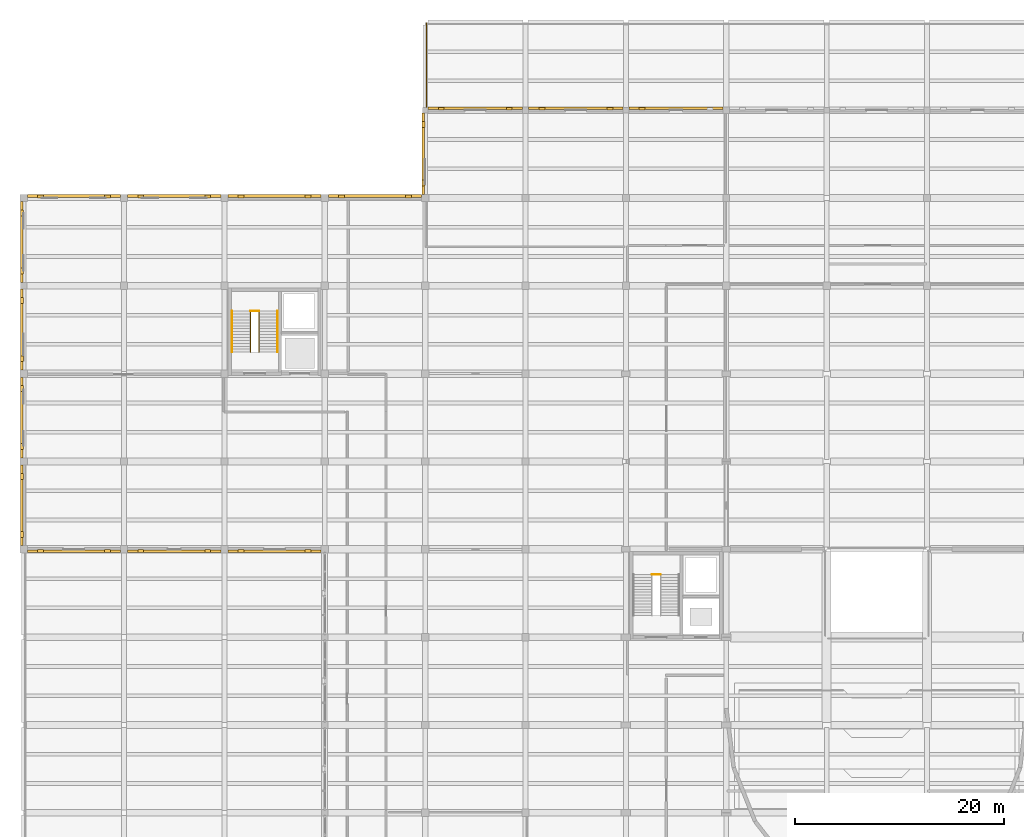
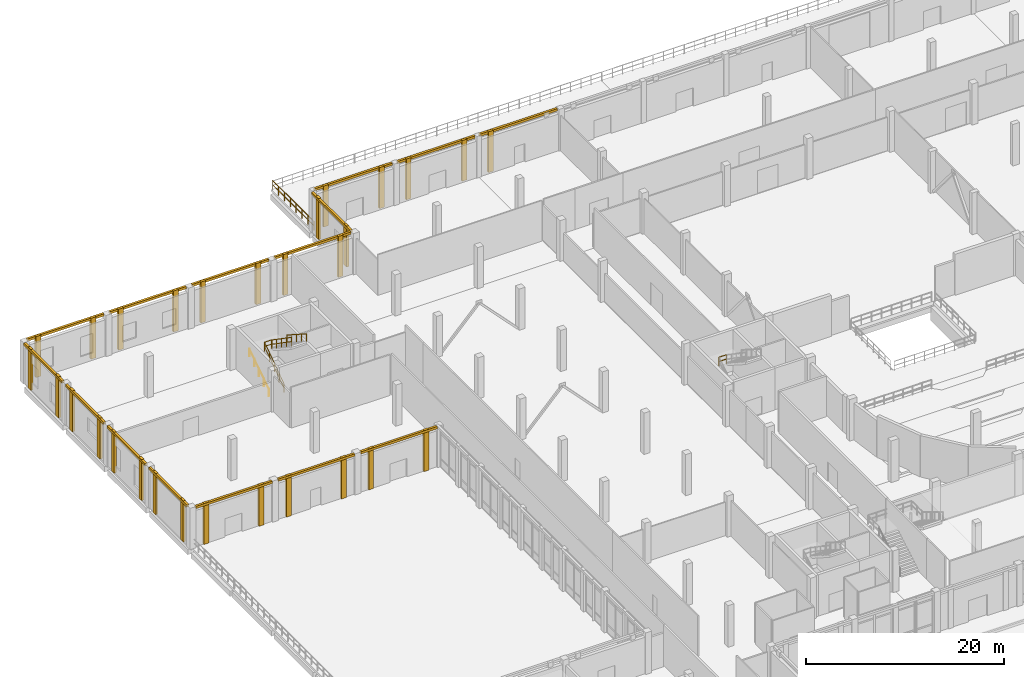
# One storey, part 65 of 71: 44 coverings, 7 railings.
"""IFC4 building model written with IfcOpenShell, lengths in metres."""

from ifc_helpers import new_model, si_unit, direction, frame, origin, origin_2d, place, context, subcontext, project, spatial, polyline, circle, outline, extrude, material, layer, layer_set, type_object, element, save


model = new_model("IFC4")

# Units and contexts
model_context = context("Model", 3, precision=1e-05, world=origin(), true_north=direction((0.0, 1.0)))
body_context = subcontext(model_context, "Body", "Model", "MODEL_VIEW")
ifc_project = project(units=[si_unit("LENGTHUNIT", "METRE"), si_unit("AREAUNIT", "SQUARE_METRE"), si_unit("VOLUMEUNIT", "CUBIC_METRE"), si_unit("PLANEANGLEUNIT", "RADIAN"), si_unit("MASSUNIT", "GRAM", prefix="KILO")], contexts=[model_context])

# Site, building, storey
site_placement = place(None, origin())
site = spatial("IfcSite", under=ifc_project, at=site_placement, CompositionType="ELEMENT")
building_placement = place(site_placement, origin())
building = spatial("IfcBuilding", under=site, at=building_placement, Name="Lornevale Opera House", CompositionType="ELEMENT")
storey_placement = place(building_placement, origin())
storey = spatial("IfcBuildingStorey", under=building, at=storey_placement, Name="L01", CompositionType="ELEMENT", Elevation=0.0)

# Coverings
ifc_material_1 = material(Name="Precast Concrete 40 MPa (CSA A23.1 C-1)", Category="concrete")
ifc_layer_1 = layer(ifc_material_1, 0.260009765625)
ifc_layer_set_1 = layer_set([ifc_layer_1], Name="Precast Concrete 40 MPa (CSA A23.1 C-1)")
covering_type_1 = type_object("IfcCoveringType", Name="Postmodern Sandstone Pilaster Rib", PredefinedType="CLADDING", material=ifc_layer_set_1)
covering_1_placement = place(storey_placement, origin())
element("IfcCovering", 1, at=covering_1_placement, inside=storey, type_object=covering_type_1, Name="Postmodern Sandstone Pilaster 0016", PredefinedType="CLADDING", context=body_context, shape_type="SweptSolid", body=[
    extrude(outline(polyline([(8.283935546875, 67.199951171875), (7.72412109375, 67.199951171875), (7.72412109375, 66.919921875), (8.283935546875, 66.919921875), (8.283935546875, 67.199951171875)])), origin(), (0.0, 0.0, 1.0), 5.050048828125),
])
covering_2_placement = place(storey_placement, origin())
element("IfcCovering", 2, at=covering_2_placement, inside=storey, type_object=covering_type_1, Name="Postmodern Sandstone Pilaster 0017", PredefinedType="CLADDING", context=body_context, shape_type="SweptSolid", body=[
    extrude(outline(polyline([(1.8759765625, 67.199951171875), (1.31591796875, 67.199951171875), (1.31591796875, 66.919921875), (1.8759765625, 66.919921875), (1.8759765625, 67.199951171875)])), origin(), (0.0, 0.0, 1.0), 5.050048828125),
])
covering_3_placement = place(storey_placement, origin())
element("IfcCovering", 3, at=covering_3_placement, inside=storey, type_object=covering_type_1, Name="Postmodern Sandstone Pilaster 0019", PredefinedType="CLADDING", context=body_context, shape_type="SweptSolid", body=[
    extrude(outline(polyline([(0.0, 68.347900390625), (0.0, 68.907958984375), (-0.280029296875, 68.907958984375), (-0.280029296875, 68.347900390625), (0.0, 68.347900390625)])), origin(), (0.0, 0.0, 1.0), 5.050048828125),
])
covering_4_placement = place(storey_placement, origin())
element("IfcCovering", 4, at=covering_4_placement, inside=storey, type_object=covering_type_1, Name="Postmodern Sandstone Pilaster 0020", PredefinedType="CLADDING", context=body_context, shape_type="SweptSolid", body=[
    extrude(outline(polyline([(0.0, 73.89208984375), (0.0, 74.451904296875), (-0.280029296875, 74.451904296875), (-0.280029296875, 73.89208984375), (0.0, 73.89208984375)])), origin(), (0.0, 0.0, 1.0), 5.050048828125),
])
covering_5_placement = place(storey_placement, origin())
element("IfcCovering", 5, at=covering_5_placement, inside=storey, type_object=covering_type_1, Name="Postmodern Sandstone Pilaster 0022", PredefinedType="CLADDING", context=body_context, shape_type="SweptSolid", body=[
    extrude(outline(polyline([(0.0, 76.748046875), (0.0, 77.30810546875), (-0.280029296875, 77.30810546875), (-0.280029296875, 76.748046875), (0.0, 76.748046875)])), origin(), (0.0, 0.0, 1.0), 5.050048828125),
])
covering_6_placement = place(storey_placement, origin())
element("IfcCovering", 6, at=covering_6_placement, inside=storey, type_object=covering_type_1, Name="Postmodern Sandstone Pilaster 0023", PredefinedType="CLADDING", context=body_context, shape_type="SweptSolid", body=[
    extrude(outline(polyline([(0.0, 82.2919921875), (0.0, 82.85205078125), (-0.280029296875, 82.85205078125), (-0.280029296875, 82.2919921875), (0.0, 82.2919921875)])), origin(), (0.0, 0.0, 1.0), 5.050048828125),
])
covering_7_placement = place(storey_placement, origin())
element("IfcCovering", 7, at=covering_7_placement, inside=storey, type_object=covering_type_1, Name="Postmodern Sandstone Pilaster 0025", PredefinedType="CLADDING", context=body_context, shape_type="SweptSolid", body=[
    extrude(outline(polyline([(0.0, 85.15087890625), (0.0, 85.7109375), (-0.280029296875, 85.7109375), (-0.280029296875, 85.15087890625), (0.0, 85.15087890625)])), origin(), (0.0, 0.0, 1.0), 5.050048828125),
])
covering_8_placement = place(storey_placement, origin())
element("IfcCovering", 8, at=covering_8_placement, inside=storey, type_object=covering_type_1, Name="Postmodern Sandstone Pilaster 0026", PredefinedType="CLADDING", context=body_context, shape_type="SweptSolid", body=[
    extrude(outline(polyline([(0.0, 90.712890625), (0.0, 91.27294921875), (-0.280029296875, 91.27294921875), (-0.280029296875, 90.712890625), (0.0, 90.712890625)])), origin(), (0.0, 0.0, 1.0), 5.050048828125),
])
covering_9_placement = place(storey_placement, origin())
element("IfcCovering", 9, at=covering_9_placement, inside=storey, type_object=covering_type_1, Name="Postmodern Sandstone Pilaster 0028", PredefinedType="CLADDING", context=body_context, shape_type="SweptSolid", body=[
    extrude(outline(polyline([(1.31591796875, 100.800048828125), (1.8759765625, 100.800048828125), (1.8759765625, 101.080078125), (1.31591796875, 101.080078125), (1.31591796875, 100.800048828125)])), origin(), (0.0, 0.0, 1.0), 5.050048828125),
])
covering_10_placement = place(storey_placement, origin())
element("IfcCovering", 10, at=covering_10_placement, inside=storey, type_object=covering_type_1, Name="Postmodern Sandstone Pilaster 0029", PredefinedType="CLADDING", context=body_context, shape_type="SweptSolid", body=[
    extrude(outline(polyline([(7.72412109375, 100.800048828125), (8.283935546875, 100.800048828125), (8.283935546875, 101.080078125), (7.72412109375, 101.080078125), (7.72412109375, 100.800048828125)])), origin(), (0.0, 0.0, 1.0), 5.050048828125),
])
covering_11_placement = place(storey_placement, origin())
element("IfcCovering", 11, at=covering_11_placement, inside=storey, type_object=covering_type_1, Name="Postmodern Sandstone Pilaster 0031", PredefinedType="CLADDING", context=body_context, shape_type="SweptSolid", body=[
    extrude(outline(polyline([(0.0, 93.52587890625), (0.0, 94.0859375), (-0.280029296875, 94.0859375), (-0.280029296875, 93.52587890625), (0.0, 93.52587890625)])), origin(), (0.0, 0.0, 1.0), 5.050048828125),
])
covering_12_placement = place(storey_placement, origin())
element("IfcCovering", 12, at=covering_12_placement, inside=storey, type_object=covering_type_1, Name="Postmodern Sandstone Pilaster 0032", PredefinedType="CLADDING", context=body_context, shape_type="SweptSolid", body=[
    extrude(outline(polyline([(0.0, 99.087890625), (0.0, 99.64794921875), (-0.280029296875, 99.64794921875), (-0.280029296875, 99.087890625), (0.0, 99.087890625)])), origin(), (0.0, 0.0, 1.0), 5.050048828125),
])
covering_13_placement = place(storey_placement, origin())
element("IfcCovering", 13, at=covering_13_placement, inside=storey, type_object=covering_type_1, Name="Postmodern Sandstone Pilaster 0040", PredefinedType="CLADDING", context=body_context, shape_type="SweptSolid", body=[
    extrude(outline(polyline([(17.884033203125, 67.199951171875), (17.323974609375, 67.199951171875), (17.323974609375, 66.919921875), (17.884033203125, 66.919921875), (17.884033203125, 67.199951171875)])), origin(), (0.0, 0.0, 1.0), 5.050048828125),
])
covering_14_placement = place(storey_placement, origin())
element("IfcCovering", 14, at=covering_14_placement, inside=storey, type_object=covering_type_1, Name="Postmodern Sandstone Pilaster 0041", PredefinedType="CLADDING", context=body_context, shape_type="SweptSolid", body=[
    extrude(outline(polyline([(11.47607421875, 67.199951171875), (10.916015625, 67.199951171875), (10.916015625, 66.919921875), (11.47607421875, 66.919921875), (11.47607421875, 67.199951171875)])), origin(), (0.0, 0.0, 1.0), 5.050048828125),
])
covering_15_placement = place(storey_placement, origin())
element("IfcCovering", 15, at=covering_15_placement, inside=storey, type_object=covering_type_1, Name="Postmodern Sandstone Pilaster 0043", PredefinedType="CLADDING", context=body_context, shape_type="SweptSolid", body=[
    extrude(outline(polyline([(10.916015625, 100.800048828125), (11.47607421875, 100.800048828125), (11.47607421875, 101.080078125), (10.916015625, 101.080078125), (10.916015625, 100.800048828125)])), origin(), (0.0, 0.0, 1.0), 5.050048828125),
])
covering_16_placement = place(storey_placement, origin())
element("IfcCovering", 16, at=covering_16_placement, inside=storey, type_object=covering_type_1, Name="Postmodern Sandstone Pilaster 0044", PredefinedType="CLADDING", context=body_context, shape_type="SweptSolid", body=[
    extrude(outline(polyline([(17.323974609375, 100.800048828125), (17.884033203125, 100.800048828125), (17.884033203125, 101.080078125), (17.323974609375, 101.080078125), (17.323974609375, 100.800048828125)])), origin(), (0.0, 0.0, 1.0), 5.050048828125),
])
covering_17_placement = place(storey_placement, origin())
element("IfcCovering", 17, at=covering_17_placement, inside=storey, type_object=covering_type_1, Name="Postmodern Sandstone Pilaster 0052", PredefinedType="CLADDING", context=body_context, shape_type="SweptSolid", body=[
    extrude(outline(polyline([(27.48388671875, 67.199951171875), (26.924072265625, 67.199951171875), (26.924072265625, 66.919921875), (27.48388671875, 66.919921875), (27.48388671875, 67.199951171875)])), origin(), (0.0, 0.0, 1.0), 5.050048828125),
])
covering_18_placement = place(storey_placement, origin())
element("IfcCovering", 18, at=covering_18_placement, inside=storey, type_object=covering_type_1, Name="Postmodern Sandstone Pilaster 0053", PredefinedType="CLADDING", context=body_context, shape_type="SweptSolid", body=[
    extrude(outline(polyline([(21.075927734375, 67.199951171875), (20.51611328125, 67.199951171875), (20.51611328125, 66.919921875), (21.075927734375, 66.919921875), (21.075927734375, 67.199951171875)])), origin(), (0.0, 0.0, 1.0), 5.050048828125),
])
covering_19_placement = place(storey_placement, origin())
element("IfcCovering", 19, at=covering_19_placement, inside=storey, type_object=covering_type_1, Name="Postmodern Sandstone Pilaster 0055", PredefinedType="CLADDING", context=body_context, shape_type="SweptSolid", body=[
    extrude(outline(polyline([(20.51611328125, 100.800048828125), (21.075927734375, 100.800048828125), (21.075927734375, 101.080078125), (20.51611328125, 101.080078125), (20.51611328125, 100.800048828125)])), origin(), (0.0, 0.0, 1.0), 5.050048828125),
])
covering_20_placement = place(storey_placement, origin())
element("IfcCovering", 20, at=covering_20_placement, inside=storey, type_object=covering_type_1, Name="Postmodern Sandstone Pilaster 0056", PredefinedType="CLADDING", context=body_context, shape_type="SweptSolid", body=[
    extrude(outline(polyline([(26.924072265625, 100.800048828125), (27.48388671875, 100.800048828125), (27.48388671875, 101.080078125), (26.924072265625, 101.080078125), (26.924072265625, 100.800048828125)])), origin(), (0.0, 0.0, 1.0), 5.050048828125),
])
covering_21_placement = place(storey_placement, origin())
element("IfcCovering", 21, at=covering_21_placement, inside=storey, type_object=covering_type_1, Name="Postmodern Sandstone Pilaster 0077", PredefinedType="CLADDING", context=body_context, shape_type="SweptSolid", body=[
    extrude(outline(polyline([(30.115966796875, 100.800048828125), (30.676025390625, 100.800048828125), (30.676025390625, 101.080078125), (30.115966796875, 101.080078125), (30.115966796875, 100.800048828125)])), origin(), (0.0, 0.0, 1.0), 5.050048828125),
])
covering_22_placement = place(storey_placement, origin())
element("IfcCovering", 22, at=covering_22_placement, inside=storey, type_object=covering_type_1, Name="Postmodern Sandstone Pilaster 0078", PredefinedType="CLADDING", context=body_context, shape_type="SweptSolid", body=[
    extrude(outline(polyline([(36.52392578125, 100.800048828125), (37.083984375, 100.800048828125), (37.083984375, 101.080078125), (36.52392578125, 101.080078125), (36.52392578125, 100.800048828125)])), origin(), (0.0, 0.0, 1.0), 5.050048828125),
])
covering_23_placement = place(storey_placement, origin())
element("IfcCovering", 23, at=covering_23_placement, inside=storey, type_object=covering_type_1, Name="Postmodern Sandstone Pilaster 0083", PredefinedType="CLADDING", context=body_context, shape_type="SweptSolid", body=[
    extrude(outline(polyline([(39.657958984375, 109.199951171875), (40.218017578125, 109.199951171875), (40.218017578125, 109.47998046875), (39.657958984375, 109.47998046875), (39.657958984375, 109.199951171875)])), origin(), (0.0, 0.0, 1.0), 5.050048828125),
])
covering_24_placement = place(storey_placement, origin())
element("IfcCovering", 24, at=covering_24_placement, inside=storey, type_object=covering_type_1, Name="Postmodern Sandstone Pilaster 0084", PredefinedType="CLADDING", context=body_context, shape_type="SweptSolid", body=[
    extrude(outline(polyline([(46.156005859375, 109.199951171875), (46.716064453125, 109.199951171875), (46.716064453125, 109.47998046875), (46.156005859375, 109.47998046875), (46.156005859375, 109.199951171875)])), origin(), (0.0, 0.0, 1.0), 5.050048828125),
])
covering_25_placement = place(storey_placement, origin())
element("IfcCovering", 25, at=covering_25_placement, inside=storey, type_object=covering_type_1, Name="Postmodern Sandstone Pilaster 0086", PredefinedType="CLADDING", context=body_context, shape_type="SweptSolid", body=[
    extrude(outline(polyline([(38.39990234375, 101.958984375), (38.39990234375, 102.51904296875), (38.1201171875, 102.51904296875), (38.1201171875, 101.958984375), (38.39990234375, 101.958984375)])), origin(), (0.0, 0.0, 1.0), 5.050048828125),
])
covering_26_placement = place(storey_placement, origin())
element("IfcCovering", 26, at=covering_26_placement, inside=storey, type_object=covering_type_1, Name="Postmodern Sandstone Pilaster 0087", PredefinedType="CLADDING", context=body_context, shape_type="SweptSolid", body=[
    extrude(outline(polyline([(38.39990234375, 107.556884765625), (38.39990234375, 108.116943359375), (38.1201171875, 108.116943359375), (38.1201171875, 107.556884765625), (38.39990234375, 107.556884765625)])), origin(), (0.0, 0.0, 1.0), 5.050048828125),
])
covering_27_placement = place(storey_placement, origin())
element("IfcCovering", 27, at=covering_27_placement, inside=storey, type_object=covering_type_1, Name="Postmodern Sandstone Pilaster 0091", PredefinedType="CLADDING", context=body_context, shape_type="SweptSolid", body=[
    extrude(outline(polyline([(49.282958984375, 109.199951171875), (49.843017578125, 109.199951171875), (49.843017578125, 109.47998046875), (49.282958984375, 109.47998046875), (49.282958984375, 109.199951171875)])), origin(), (0.0, 0.0, 1.0), 5.02001953125),
])
covering_28_placement = place(storey_placement, origin())
element("IfcCovering", 28, at=covering_28_placement, inside=storey, type_object=covering_type_1, Name="Postmodern Sandstone Pilaster 0092", PredefinedType="CLADDING", context=body_context, shape_type="SweptSolid", body=[
    extrude(outline(polyline([(55.781005859375, 109.199951171875), (56.341064453125, 109.199951171875), (56.341064453125, 109.47998046875), (55.781005859375, 109.47998046875), (55.781005859375, 109.199951171875)])), origin(), (0.0, 0.0, 1.0), 5.02001953125),
])
covering_29_placement = place(storey_placement, origin())
element("IfcCovering", 29, at=covering_29_placement, inside=storey, type_object=covering_type_1, Name="Postmodern Sandstone Pilaster 0097", PredefinedType="CLADDING", context=body_context, shape_type="SweptSolid", body=[
    extrude(outline(polyline([(58.85888671875, 109.199951171875), (59.4189453125, 109.199951171875), (59.4189453125, 109.47998046875), (58.85888671875, 109.47998046875), (58.85888671875, 109.199951171875)])), origin(), (0.0, 0.0, 1.0), 5.02001953125),
])
ifc_material_2 = material(Name="Queenston Buff Limestone Ashlar Masonry (25 MPa)", Category="masonry")
ifc_layer_2 = layer(ifc_material_2, 0.1201171875)
ifc_layer_set_2 = layer_set([ifc_layer_2], Name="Queenston Buff Limestone Ashlar Masonry (25 MPa)")
covering_type_2 = type_object("IfcCoveringType", Name="Precast Limestone Cornice Band", PredefinedType="CLADDING", material=ifc_layer_set_2)
covering_30_placement = place(storey_placement, frame((0.0, 0.0, 4.77001953125)))
element("IfcCovering", 30, at=covering_30_placement, inside=storey, type_object=covering_type_2, Name="Precast Limestone Cornice Band 0018", PredefinedType="CLADDING", context=body_context, shape_type="SweptSolid", body=[
    extrude(outline(polyline([(9.25, 67.139892578125), (0.35009765625, 67.139892578125), (0.35009765625, 66.8798828125), (9.25, 66.8798828125), (9.25, 67.139892578125)])), origin(), (0.0, 0.0, 1.0), 0.280029296875),
])
covering_31_placement = place(storey_placement, frame((0.0, 0.0, 4.77001953125)))
element("IfcCovering", 31, at=covering_31_placement, inside=storey, type_object=covering_type_2, Name="Precast Limestone Cornice Band 0021", PredefinedType="CLADDING", context=body_context, shape_type="SweptSolid", body=[
    extrude(outline(polyline([(-0.06005859375, 67.550048828125), (-0.06005859375, 75.25), (-0.320068359375, 75.25), (-0.320068359375, 67.550048828125), (-0.06005859375, 67.550048828125)])), origin(), (0.0, 0.0, 1.0), 0.280029296875),
])
covering_32_placement = place(storey_placement, frame((0.0, 0.0, 4.77001953125)))
element("IfcCovering", 32, at=covering_32_placement, inside=storey, type_object=covering_type_2, Name="Precast Limestone Cornice Band 0024", PredefinedType="CLADDING", context=body_context, shape_type="SweptSolid", body=[
    extrude(outline(polyline([(-0.06005859375, 75.949951171875), (-0.06005859375, 83.64990234375), (-0.320068359375, 83.64990234375), (-0.320068359375, 75.949951171875), (-0.06005859375, 75.949951171875)])), origin(), (0.0, 0.0, 1.0), 0.280029296875),
])
covering_33_placement = place(storey_placement, frame((0.0, 0.0, 4.77001953125)))
element("IfcCovering", 33, at=covering_33_placement, inside=storey, type_object=covering_type_2, Name="Precast Limestone Cornice Band 0027", PredefinedType="CLADDING", context=body_context, shape_type="SweptSolid", body=[
    extrude(outline(polyline([(-0.06005859375, 84.35009765625), (-0.06005859375, 92.074951171875), (-0.320068359375, 92.074951171875), (-0.320068359375, 84.35009765625), (-0.06005859375, 84.35009765625)])), origin(), (0.0, 0.0, 1.0), 0.280029296875),
])
covering_34_placement = place(storey_placement, frame((0.0, 0.0, 4.77001953125)))
element("IfcCovering", 34, at=covering_34_placement, inside=storey, type_object=covering_type_2, Name="Precast Limestone Cornice Band 0030", PredefinedType="CLADDING", context=body_context, shape_type="SweptSolid", body=[
    extrude(outline(polyline([(0.35009765625, 100.860107421875), (9.25, 100.860107421875), (9.25, 101.1201171875), (0.35009765625, 101.1201171875), (0.35009765625, 100.860107421875)])), origin(), (0.0, 0.0, 1.0), 0.280029296875),
])
covering_35_placement = place(storey_placement, frame((0.0, 0.0, 4.77001953125)))
element("IfcCovering", 35, at=covering_35_placement, inside=storey, type_object=covering_type_2, Name="Precast Limestone Cornice Band 0033", PredefinedType="CLADDING", context=body_context, shape_type="SweptSolid", body=[
    extrude(outline(polyline([(-0.06005859375, 92.72509765625), (-0.06005859375, 100.449951171875), (-0.320068359375, 100.449951171875), (-0.320068359375, 92.72509765625), (-0.06005859375, 92.72509765625)])), origin(), (0.0, 0.0, 1.0), 0.280029296875),
])
covering_36_placement = place(storey_placement, frame((0.0, 0.0, 4.77001953125)))
element("IfcCovering", 36, at=covering_36_placement, inside=storey, type_object=covering_type_2, Name="Precast Limestone Cornice Band 0042", PredefinedType="CLADDING", context=body_context, shape_type="SweptSolid", body=[
    extrude(outline(polyline([(18.85009765625, 67.139892578125), (9.949951171875, 67.139892578125), (9.949951171875, 66.8798828125), (18.85009765625, 66.8798828125), (18.85009765625, 67.139892578125)])), origin(), (0.0, 0.0, 1.0), 0.280029296875),
])
covering_37_placement = place(storey_placement, frame((0.0, 0.0, 4.77001953125)))
element("IfcCovering", 37, at=covering_37_placement, inside=storey, type_object=covering_type_2, Name="Precast Limestone Cornice Band 0045", PredefinedType="CLADDING", context=body_context, shape_type="SweptSolid", body=[
    extrude(outline(polyline([(9.949951171875, 100.860107421875), (18.85009765625, 100.860107421875), (18.85009765625, 101.1201171875), (9.949951171875, 101.1201171875), (9.949951171875, 100.860107421875)])), origin(), (0.0, 0.0, 1.0), 0.280029296875),
])
covering_38_placement = place(storey_placement, frame((0.0, 0.0, 4.77001953125)))
element("IfcCovering", 38, at=covering_38_placement, inside=storey, type_object=covering_type_2, Name="Precast Limestone Cornice Band 0054", PredefinedType="CLADDING", context=body_context, shape_type="SweptSolid", body=[
    extrude(outline(polyline([(28.449951171875, 67.139892578125), (19.550048828125, 67.139892578125), (19.550048828125, 66.8798828125), (28.449951171875, 66.8798828125), (28.449951171875, 67.139892578125)])), origin(), (0.0, 0.0, 1.0), 0.280029296875),
])
covering_39_placement = place(storey_placement, frame((0.0, 0.0, 4.77001953125)))
element("IfcCovering", 39, at=covering_39_placement, inside=storey, type_object=covering_type_2, Name="Precast Limestone Cornice Band 0057", PredefinedType="CLADDING", context=body_context, shape_type="SweptSolid", body=[
    extrude(outline(polyline([(19.550048828125, 100.860107421875), (28.449951171875, 100.860107421875), (28.449951171875, 101.1201171875), (19.550048828125, 101.1201171875), (19.550048828125, 100.860107421875)])), origin(), (0.0, 0.0, 1.0), 0.280029296875),
])
covering_40_placement = place(storey_placement, frame((0.0, 0.0, 4.77001953125)))
element("IfcCovering", 40, at=covering_40_placement, inside=storey, type_object=covering_type_2, Name="Precast Limestone Cornice Band 0079", PredefinedType="CLADDING", context=body_context, shape_type="SweptSolid", body=[
    extrude(outline(polyline([(29.14990234375, 100.860107421875), (38.050048828125, 100.860107421875), (38.050048828125, 101.1201171875), (29.14990234375, 101.1201171875), (29.14990234375, 100.860107421875)])), origin(), (0.0, 0.0, 1.0), 0.280029296875),
])
covering_41_placement = place(storey_placement, frame((0.0, 0.0, 4.77001953125)))
element("IfcCovering", 41, at=covering_41_placement, inside=storey, type_object=covering_type_2, Name="Precast Limestone Cornice Band 0085", PredefinedType="CLADDING", context=body_context, shape_type="SweptSolid", body=[
    extrude(outline(polyline([(38.675048828125, 109.260009765625), (47.699951171875, 109.260009765625), (47.699951171875, 109.52001953125), (38.675048828125, 109.52001953125), (38.675048828125, 109.260009765625)])), origin(), (0.0, 0.0, 1.0), 0.280029296875),
])
covering_42_placement = place(storey_placement, frame((0.0, 0.0, 4.77001953125)))
element("IfcCovering", 42, at=covering_42_placement, inside=storey, type_object=covering_type_2, Name="Precast Limestone Cornice Band 0088", PredefinedType="CLADDING", context=body_context, shape_type="SweptSolid", body=[
    extrude(outline(polyline([(38.340087890625, 101.14990234375), (38.340087890625, 108.925048828125), (38.080078125, 108.925048828125), (38.080078125, 101.14990234375), (38.340087890625, 101.14990234375)])), origin(), (0.0, 0.0, 1.0), 0.280029296875),
])
covering_43_placement = place(storey_placement, frame((0.0, 0.0, 4.739990234375)))
element("IfcCovering", 43, at=covering_43_placement, inside=storey, type_object=covering_type_2, Name="Precast Limestone Cornice Band 0093", PredefinedType="CLADDING", context=body_context, shape_type="SweptSolid", body=[
    extrude(outline(polyline([(48.300048828125, 109.260009765625), (57.324951171875, 109.260009765625), (57.324951171875, 109.52001953125), (48.300048828125, 109.52001953125), (48.300048828125, 109.260009765625)])), origin(), (0.0, 0.0, 1.0), 0.280029296875),
])
covering_44_placement = place(storey_placement, frame((0.0, 0.0, 4.739990234375)))
element("IfcCovering", 44, at=covering_44_placement, inside=storey, type_object=covering_type_2, Name="Precast Limestone Cornice Band 0099", PredefinedType="CLADDING", context=body_context, shape_type="SweptSolid", body=[
    extrude(outline(polyline([(57.875, 109.260009765625), (66.89990234375, 109.260009765625), (66.89990234375, 109.52001953125), (57.875, 109.52001953125), (57.875, 109.260009765625)])), origin(), (0.0, 0.0, 1.0), 0.280029296875),
])

# Railings
ifc_material_3 = material(Name="Structural Steel CSA G40.21 Grade 350W (350 MPa)", Category="steel")
ifc_layer_3 = layer(ifc_material_3, 0.050048828125)
ifc_layer_set_3 = layer_set([ifc_layer_3], Name="Structural Steel CSA G40.21 Grade 350W (350 MPa)")
railing_type_1 = type_object("IfcRailingType", Name="Stair Well Guardrail 1100", PredefinedType="GUARDRAIL", material=ifc_layer_set_3)
railing_1_placement = place(storey_placement, frame((21.679931640625, 86.06005859375, 0.0)))
element("IfcRailing", 45, at=railing_1_placement, inside=storey, type_object=railing_type_1, Name="ST-13 Inner Well Guard F1", PredefinedType="GUARDRAIL", context=body_context, shape_type="SweptSolid", body=[
    extrude(circle(Radius=0.02392578125, at=origin_2d()), frame((0.0, 0.0, 1.076171875), z_axis=(0.0, 0.823550731654, 0.567242622158), x_axis=(-1.0, 0.0, 0.0)), (0.0, 0.0, 1.0), 4.759765625),
    extrude(circle(Radius=0.02392578125, at=origin_2d()), frame((0.0, 0.0, 0.550048828125), z_axis=(0.0, 0.823550731654, 0.567242622158), x_axis=(-1.0, 0.0, 0.0)), (0.0, 0.0, 1.0), 4.759765625),
    extrude(circle(Radius=0.02099609375, at=origin_2d()), origin(), (0.0, 0.0, 1.0), 1.052001953125),
    extrude(circle(Radius=0.02099609375, at=origin_2d()), frame((0.0, 0.97998046875, 0.675048828125)), (0.0, 0.0, 1.0), 1.052001953125),
    extrude(circle(Radius=0.02099609375, at=origin_2d()), frame((0.0, 1.9599609375, 1.35009765625)), (0.0, 0.0, 1.0), 1.052001953125),
    extrude(circle(Radius=0.02099609375, at=origin_2d()), frame((0.0, 2.93994140625, 2.02490234375)), (0.0, 0.0, 1.0), 1.052001953125),
    extrude(circle(Radius=0.02099609375, at=origin_2d()), frame((0.0, 3.919921875, 2.699951171875)), (0.0, 0.0, 1.0), 1.052001953125),
])
railing_2_placement = place(storey_placement, frame((22.52001953125, 89.97998046875, 2.699951171875)))
element("IfcRailing", 46, at=railing_2_placement, inside=storey, type_object=railing_type_1, Name="ST-13 Inner Well Guard F2", PredefinedType="GUARDRAIL", context=body_context, shape_type="SweptSolid", body=[
    extrude(circle(Radius=0.02392578125, at=origin_2d()), frame((0.0, 0.0, 1.076171875), z_axis=(0.0, -0.823550731654, 0.567242622158), x_axis=(1.0, 0.0, 0.0)), (0.0, 0.0, 1.0), 4.759765625),
    extrude(circle(Radius=0.02392578125, at=origin_2d()), frame((0.0, 0.0, 0.550048828125), z_axis=(0.0, -0.823550731654, 0.567242622158), x_axis=(1.0, 0.0, 0.0)), (0.0, 0.0, 1.0), 4.759765625),
    extrude(circle(Radius=0.02099609375, at=origin_2d()), origin(), (0.0, 0.0, 1.0), 1.052001953125),
    extrude(circle(Radius=0.02099609375, at=origin_2d()), frame((0.0, -0.97998046875, 0.675048828125)), (0.0, 0.0, 1.0), 1.052001953125),
    extrude(circle(Radius=0.02099609375, at=origin_2d()), frame((0.0, -1.9599609375, 1.35009765625)), (0.0, 0.0, 1.0), 1.052001953125),
    extrude(circle(Radius=0.02099609375, at=origin_2d()), frame((0.0, -2.93994140625, 2.02490234375)), (0.0, 0.0, 1.0), 1.052001953125),
    extrude(circle(Radius=0.02099609375, at=origin_2d()), frame((0.0, -3.919921875, 2.699951171875)), (0.0, 0.0, 1.0), 1.052001953125),
])
railing_3_placement = place(storey_placement, frame((21.679931640625, 90.010009765625, 2.699951171875)))
element("IfcRailing", 47, at=railing_3_placement, inside=storey, type_object=railing_type_1, Name="ST-13 Half-Landing Slot Guard", PredefinedType="GUARDRAIL", context=body_context, shape_type="SweptSolid", body=[
    extrude(circle(Radius=0.02392578125, at=origin_2d()), frame((0.0, 0.0, 1.076171875), z_axis=(1.0, 0.0, 0.0), x_axis=(0.0, 1.0, 0.0)), (0.0, 0.0, 1.0), 0.840087890625),
    extrude(circle(Radius=0.02392578125, at=origin_2d()), frame((0.0, 0.0, 0.550048828125), z_axis=(1.0, 0.0, 0.0), x_axis=(0.0, 1.0, 0.0)), (0.0, 0.0, 1.0), 0.840087890625),
    extrude(circle(Radius=0.02099609375, at=origin_2d()), origin(), (0.0, 0.0, 1.0), 1.052001953125),
    extrude(circle(Radius=0.02099609375, at=origin_2d()), frame((0.840087890625, 0.0, 0.0)), (0.0, 0.0, 1.0), 1.052001953125),
])
railing_4_placement = place(storey_placement, frame((60.080078125, 64.81005859375, 2.699951171875)))
element("IfcRailing", 48, at=railing_4_placement, inside=storey, type_object=railing_type_1, Name="ST-16 Half-Landing Slot Guard", PredefinedType="GUARDRAIL", context=body_context, shape_type="SweptSolid", body=[
    extrude(circle(Radius=0.02392578125, at=origin_2d()), frame((0.0, 0.0, 1.076171875), z_axis=(1.0, 0.0, 0.0), x_axis=(0.0, 1.0, 0.0)), (0.0, 0.0, 1.0), 0.83984375),
    extrude(circle(Radius=0.02392578125, at=origin_2d()), frame((0.0, 0.0, 0.550048828125), z_axis=(1.0, 0.0, 0.0), x_axis=(0.0, 1.0, 0.0)), (0.0, 0.0, 1.0), 0.83984375),
    extrude(circle(Radius=0.02099609375, at=origin_2d()), origin(), (0.0, 0.0, 1.0), 1.052001953125),
    extrude(circle(Radius=0.02099609375, at=origin_2d()), frame((0.83984375, 0.0, 0.0)), (0.0, 0.0, 1.0), 1.052001953125),
])
ifc_layer_4 = layer(ifc_material_3, 0.06005859375)
ifc_layer_set_4 = layer_set([ifc_layer_4], Name="Structural Steel CSA G40.21 Grade 350W (350 MPa)")
railing_type_2 = type_object("IfcRailingType", Name="Terrace Tubular Guardrail 1120", PredefinedType="GUARDRAIL", material=ifc_layer_set_4)
railing_5_placement = place(storey_placement, frame((38.5400390625, 109.25, 0.0)))
element("IfcRailing", 49, at=railing_5_placement, inside=storey, type_object=railing_type_2, Name="Terrace Perimeter Guard L01 0266", PredefinedType="GUARDRAIL", context=body_context, shape_type="SweptSolid", body=[
    extrude(circle(Radius=0.02392578125, at=origin_2d()), frame((0.0, 0.0, 1.09619140625), z_axis=(0.0, 1.0, 0.0), x_axis=(-1.0, 0.0, 0.0)), (0.0, 0.0, 1.0), 8.300048828125),
    extrude(circle(Radius=0.02392578125, at=origin_2d()), frame((0.0, 0.0, 0.56005859375), z_axis=(0.0, 1.0, 0.0), x_axis=(-1.0, 0.0, 0.0)), (0.0, 0.0, 1.0), 8.300048828125),
    extrude(circle(Radius=0.02099609375, at=origin_2d()), origin(), (0.0, 0.0, 1.0), 1.072021484375),
    extrude(circle(Radius=0.02099609375, at=origin_2d()), frame((0.0, 1.185791015625, 0.0)), (0.0, 0.0, 1.0), 1.072021484375),
    extrude(circle(Radius=0.02099609375, at=origin_2d()), frame((0.0, 2.371337890625, 0.0)), (0.0, 0.0, 1.0), 1.072021484375),
    extrude(circle(Radius=0.02099609375, at=origin_2d()), frame((0.0, 3.55712890625, 0.0)), (0.0, 0.0, 1.0), 1.072021484375),
    extrude(circle(Radius=0.02099609375, at=origin_2d()), frame((0.0, 4.742919921875, 0.0)), (0.0, 0.0, 1.0), 1.072021484375),
    extrude(circle(Radius=0.02099609375, at=origin_2d()), frame((0.0, 5.9287109375, 0.0)), (0.0, 0.0, 1.0), 1.072021484375),
    extrude(circle(Radius=0.02099609375, at=origin_2d()), frame((0.0, 7.1142578125, 0.0)), (0.0, 0.0, 1.0), 1.072021484375),
    extrude(circle(Radius=0.02099609375, at=origin_2d()), frame((0.0, 8.300048828125, 0.0)), (0.0, 0.0, 1.0), 1.072021484375),
])
ifc_layer_5 = layer(ifc_material_3, 0.048095703125)
ifc_layer_set_5 = layer_set([ifc_layer_5], Name="Structural Steel CSA G40.21 Grade 350W (350 MPa)")
railing_type_3 = type_object("IfcRailingType", Name="Tubular Stair Handrail 915", PredefinedType="HANDRAIL", material=ifc_layer_set_5)
railing_6_placement = place(storey_placement, frame((19.919921875, 86.06005859375, 0.18310546875)))
element("IfcRailing", 50, at=railing_6_placement, inside=storey, type_object=railing_type_3, Name="ST-13 Outer Handrail F1", PredefinedType="HANDRAIL", context=body_context, shape_type="SweptSolid", body=[
    extrude(circle(Radius=0.02392578125, at=origin_2d()), frame((0.0, 0.0, 0.89111328125), z_axis=(0.0, 0.84119549742, 0.540731111663), x_axis=(-1.0, 0.0, 0.0)), (0.0, 0.0, 1.0), 4.659912109375),
    extrude(circle(Radius=0.02099609375, at=origin_2d()), origin(), (0.0, 0.0, 1.0), 0.866943359375),
    extrude(circle(Radius=0.02099609375, at=origin_2d()), frame((0.0, 0.97998046875, 0.6298828125)), (0.0, 0.0, 1.0), 0.866943359375),
    extrude(circle(Radius=0.02099609375, at=origin_2d()), frame((0.0, 1.9599609375, 1.259765625)), (0.0, 0.0, 1.0), 0.866943359375),
    extrude(circle(Radius=0.02099609375, at=origin_2d()), frame((0.0, 2.93994140625, 1.889892578125)), (0.0, 0.0, 1.0), 0.866943359375),
    extrude(circle(Radius=0.02099609375, at=origin_2d()), frame((0.0, 3.919921875, 2.519775390625)), (0.0, 0.0, 1.0), 0.866943359375),
])
railing_7_placement = place(storey_placement, frame((24.280029296875, 89.97998046875, 2.883056640625)))
element("IfcRailing", 51, at=railing_7_placement, inside=storey, type_object=railing_type_3, Name="ST-13 Outer Handrail F2", PredefinedType="HANDRAIL", context=body_context, shape_type="SweptSolid", body=[
    extrude(circle(Radius=0.02392578125, at=origin_2d()), frame((0.0, 0.0, 0.89111328125), z_axis=(0.0, -0.841171666519, 0.540768182723), x_axis=(1.0, 0.0, 0.0)), (0.0, 0.0, 1.0), 4.66015625),
    extrude(circle(Radius=0.02099609375, at=origin_2d()), origin(), (0.0, 0.0, 1.0), 0.866943359375),
    extrude(circle(Radius=0.02099609375, at=origin_2d()), frame((0.0, -0.97998046875, 0.6298828125)), (0.0, 0.0, 1.0), 0.866943359375),
    extrude(circle(Radius=0.02099609375, at=origin_2d()), frame((0.0, -1.9599609375, 1.260009765625)), (0.0, 0.0, 1.0), 0.866943359375),
    extrude(circle(Radius=0.02099609375, at=origin_2d()), frame((0.0, -2.93994140625, 1.89013671875)), (0.0, 0.0, 1.0), 0.866943359375),
    extrude(circle(Radius=0.02099609375, at=origin_2d()), frame((0.0, -3.919921875, 2.52001953125)), (0.0, 0.0, 1.0), 0.866943359375),
])

save(model, "model.ifc")
